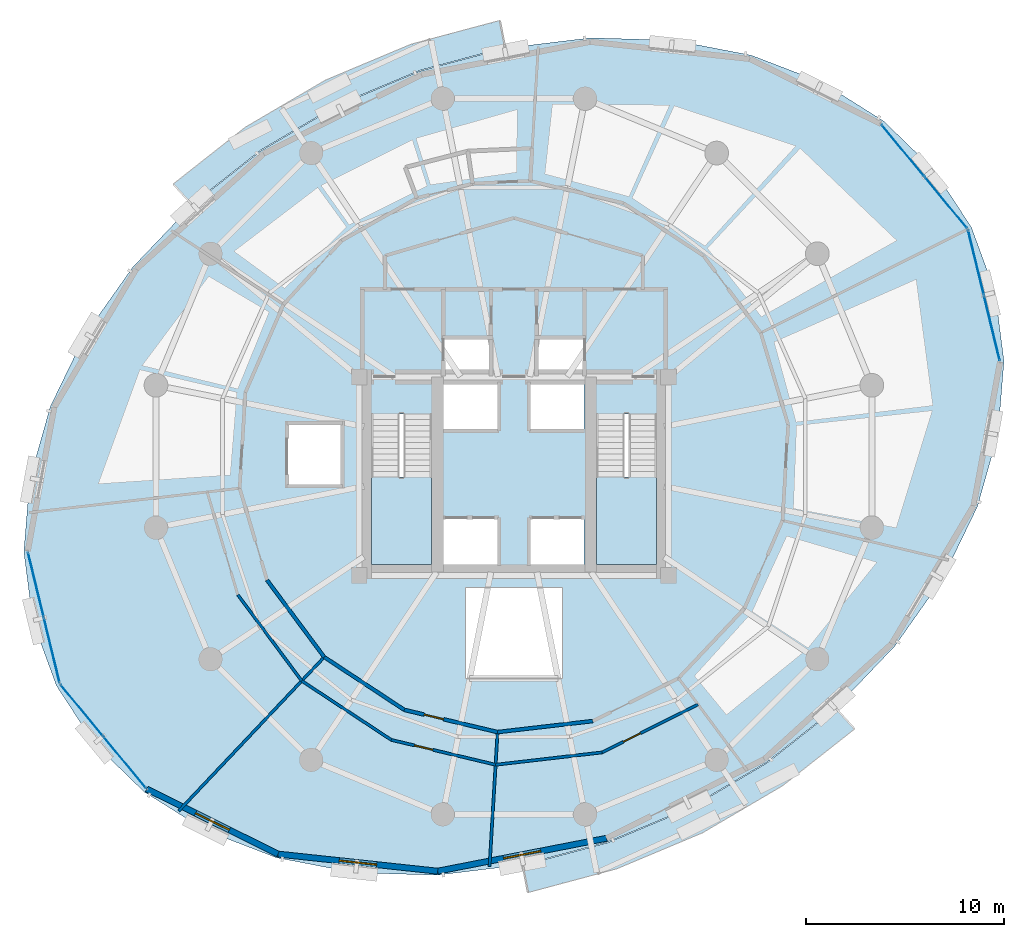
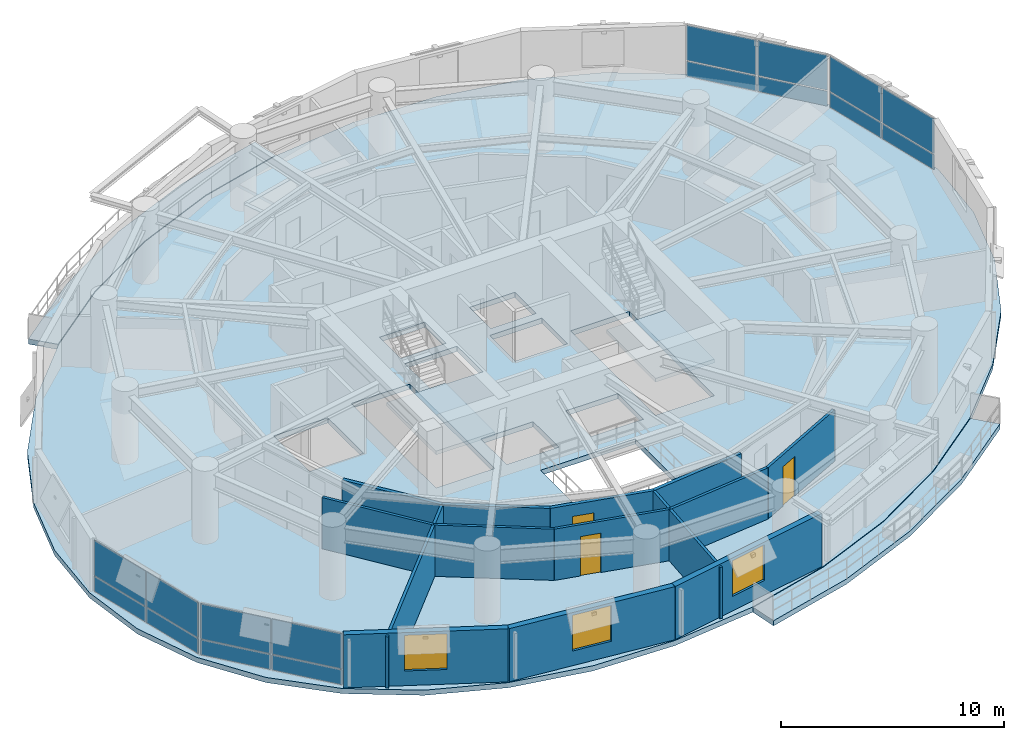
# One storey, part 9 of 14: 16 plates, 14 walls, 5 slabs, 3 doors, 3 windows, 6 openings, 6 elements without a shape of their own.
"""IFC4 building model written with IfcOpenShell, lengths in metres."""

from ifc_helpers import new_model, si_unit, direction, frame, frame_2d, origin, origin_2d, place, context, subcontext, project, spatial, polyline, rectangle, outline, extrude, material, layer, layer_set, type_object, element, fill, aggregate, save


model = new_model("IFC4")

# Units and contexts
model_context = context("Model", 3, precision=1e-05, world=origin(), true_north=direction((0.0, 1.0)))
body_context = subcontext(model_context, "Body", "Model", "MODEL_VIEW")
ifc_project = project(units=[si_unit("LENGTHUNIT", "METRE"), si_unit("AREAUNIT", "SQUARE_METRE"), si_unit("VOLUMEUNIT", "CUBIC_METRE"), si_unit("PLANEANGLEUNIT", "RADIAN"), si_unit("MASSUNIT", "GRAM", prefix="KILO"), si_unit("THERMODYNAMICTEMPERATUREUNIT", "KELVIN"), si_unit("POWERUNIT", "WATT")], contexts=[model_context])

# Site, building, storey
site_placement = place(None, origin())
site = spatial("IfcSite", under=ifc_project, at=site_placement, CompositionType="ELEMENT")
building_placement = place(site_placement, origin())
building = spatial("IfcBuilding", under=site, at=building_placement, Name="Ocrelia Relay Tower", CompositionType="ELEMENT")
storey_placement = place(building_placement, frame((0.0, 0.0, 145.800048828125)))
storey = spatial("IfcBuildingStorey", under=building, at=storey_placement, Name="L34", CompositionType="ELEMENT", Elevation=145.800048828125)

# Curtain wall, plates
ifc_material_1 = material(Name="Aluminium and solar-control low-E glass", Category="aluminium")
ifc_layer_1 = layer(ifc_material_1, 0.179931640625, Name="Aluminium and solar-control low-E glass")
ifc_layer_set_1 = layer_set([ifc_layer_1], Name="Aluminium and solar-control low-E glass")
curtain_wall_type = type_object("IfcCurtainWallType", Name="CW-SYS-Z2-SWIT", PredefinedType="NOTDEFINED", material=ifc_layer_set_1)
curtain_wall_1_placement = place(storey_placement, origin())
curtain_wall_1 = element("IfcCurtainWall", 1, at=curtain_wall_1_placement, inside=storey, type_object=curtain_wall_type, Name="L34 Elliptical Tower Curtain Wall Bay 01", PredefinedType="NOTDEFINED")
ifc_material_2 = material(Name="Clear double-glazed low-E glass", Category="glass")
ifc_layer_2 = layer(ifc_material_2, 0.031982421875, Name="Clear double-glazed low-E glass")
ifc_layer_set_2 = layer_set([ifc_layer_2], Name="Clear double-glazed low-E glass")
plate_type = type_object("IfcPlateType", Name="CW-SYS-Z2-SWIT-PNL", PredefinedType="CURTAIN_PANEL", material=ifc_layer_set_2)
plate_1_placement = place(storey_placement, frame((55.78369140625, 38.8017578125, 0.059814453125), z_axis=(0.0, 0.0, 1.0), x_axis=(-0.637004659062, 0.77085995118, 0.0)))
plate_1 = element("IfcPlate", 2, at=plate_1_placement, type_object=plate_type, Name="CW-Z2 panel 1.1", PredefinedType="CURTAIN_PANEL", context=body_context, shape_type="SweptSolid", body=[
    extrude(rectangle(XDim=3.33447265625, YDim=0.031982421875, at=origin_2d()), origin(), (0.0, 0.0, 1.0), 0.81005859375),
])
plate_2_placement = place(storey_placement, frame((55.78369140625, 38.8017578125, 0.93017578125), z_axis=(0.0, 0.0, 1.0), x_axis=(-0.637004659062, 0.77085995118, 0.0)))
plate_2 = element("IfcPlate", 3, at=plate_2_placement, type_object=plate_type, Name="CW-Z2 panel 1.2", PredefinedType="CURTAIN_PANEL", context=body_context, shape_type="SweptSolid", body=[
    extrude(rectangle(XDim=3.33447265625, YDim=0.031982421875, at=origin_2d()), origin(), (0.0, 0.0, 1.0), 1.909912109375),
])
plate_3_placement = place(storey_placement, frame((53.614990234375, 41.42626953125, 0.059814453125), z_axis=(0.0, 0.0, 1.0), x_axis=(-0.637004659062, 0.77085995118, 0.0)))
plate_3 = element("IfcPlate", 4, at=plate_3_placement, type_object=plate_type, Name="CW-Z2 panel 2.1", PredefinedType="CURTAIN_PANEL", context=body_context, shape_type="SweptSolid", body=[
    extrude(rectangle(XDim=3.33447265625, YDim=0.031982421875, at=origin_2d()), origin(), (0.0, 0.0, 1.0), 0.81005859375),
])
plate_4_placement = place(storey_placement, frame((53.614990234375, 41.42626953125, 0.93017578125), z_axis=(0.0, 0.0, 1.0), x_axis=(-0.637004659062, 0.77085995118, 0.0)))
plate_4 = element("IfcPlate", 5, at=plate_4_placement, type_object=plate_type, Name="CW-Z2 panel 2.2", PredefinedType="CURTAIN_PANEL", context=body_context, shape_type="SweptSolid", body=[
    extrude(rectangle(XDim=3.33447265625, YDim=0.031982421875, at=origin_2d()), origin(), (0.0, 0.0, 1.0), 1.909912109375),
])
aggregate(curtain_wall_1, [plate_1, plate_2, plate_3, plate_4])

curtain_wall_2_placement = place(storey_placement, origin())
curtain_wall_2 = element("IfcCurtainWall", 6, at=curtain_wall_2_placement, inside=storey, type_object=curtain_wall_type, Name="L34 Elliptical Tower Curtain Wall Bay 09", PredefinedType="NOTDEFINED")
plate_5_placement = place(storey_placement, frame((9.89794921875, 19.534423828125, 0.059814453125), z_axis=(0.0, 0.0, 1.0), x_axis=(0.235671587189, -0.97183275464, 0.0)))
plate_5 = element("IfcPlate", 7, at=plate_5_placement, type_object=plate_type, Name="CW-Z2 panel 1.1", PredefinedType="CURTAIN_PANEL", context=body_context, shape_type="SweptSolid", body=[
    extrude(rectangle(XDim=3.33447265625, YDim=0.031982421875, at=origin_2d()), origin(), (0.0, 0.0, 1.0), 0.81005859375),
])
plate_6_placement = place(storey_placement, frame((9.89794921875, 19.534423828125, 0.93017578125), z_axis=(0.0, 0.0, 1.0), x_axis=(0.235671587189, -0.97183275464, 0.0)))
plate_6 = element("IfcPlate", 8, at=plate_6_placement, type_object=plate_type, Name="CW-Z2 panel 1.2", PredefinedType="CURTAIN_PANEL", context=body_context, shape_type="SweptSolid", body=[
    extrude(rectangle(XDim=3.33447265625, YDim=0.031982421875, at=origin_2d()), origin(), (0.0, 0.0, 1.0), 1.909912109375),
])
plate_7_placement = place(storey_placement, frame((10.7001953125, 16.225830078125, 0.059814453125), z_axis=(0.0, 0.0, 1.0), x_axis=(0.235671587189, -0.97183275464, 0.0)))
plate_7 = element("IfcPlate", 9, at=plate_7_placement, type_object=plate_type, Name="CW-Z2 panel 2.1", PredefinedType="CURTAIN_PANEL", context=body_context, shape_type="SweptSolid", body=[
    extrude(rectangle(XDim=3.33447265625, YDim=0.031982421875, at=origin_2d()), origin(), (0.0, 0.0, 1.0), 0.81005859375),
])
plate_8_placement = place(storey_placement, frame((10.7001953125, 16.225830078125, 0.93017578125), z_axis=(0.0, 0.0, 1.0), x_axis=(0.235671587189, -0.97183275464, 0.0)))
plate_8 = element("IfcPlate", 10, at=plate_8_placement, type_object=plate_type, Name="CW-Z2 panel 2.2", PredefinedType="CURTAIN_PANEL", context=body_context, shape_type="SweptSolid", body=[
    extrude(rectangle(XDim=3.33447265625, YDim=0.031982421875, at=origin_2d()), origin(), (0.0, 0.0, 1.0), 1.909912109375),
])
aggregate(curtain_wall_2, [plate_5, plate_6, plate_7, plate_8])

curtain_wall_3_placement = place(storey_placement, origin())
curtain_wall_3 = element("IfcCurtainWall", 11, at=curtain_wall_3_placement, inside=storey, type_object=curtain_wall_type, Name="L34 Elliptical Tower Curtain Wall Bay 10", PredefinedType="NOTDEFINED")
plate_9_placement = place(storey_placement, frame((12.21630859375, 13.1982421875, 0.059814453125), z_axis=(0.0, 0.0, 1.0), x_axis=(0.637004659062, -0.77085995118, 0.0)))
plate_9 = element("IfcPlate", 12, at=plate_9_placement, type_object=plate_type, Name="CW-Z2 panel 1.1", PredefinedType="CURTAIN_PANEL", context=body_context, shape_type="SweptSolid", body=[
    extrude(rectangle(XDim=3.33447265625, YDim=0.031982421875, at=origin_2d()), origin(), (0.0, 0.0, 1.0), 0.81005859375),
])
plate_10_placement = place(storey_placement, frame((12.21630859375, 13.1982421875, 0.93017578125), z_axis=(0.0, 0.0, 1.0), x_axis=(0.637004659062, -0.77085995118, 0.0)))
plate_10 = element("IfcPlate", 13, at=plate_10_placement, type_object=plate_type, Name="CW-Z2 panel 1.2", PredefinedType="CURTAIN_PANEL", context=body_context, shape_type="SweptSolid", body=[
    extrude(rectangle(XDim=3.33447265625, YDim=0.031982421875, at=origin_2d()), origin(), (0.0, 0.0, 1.0), 1.909912109375),
])
plate_11_placement = place(storey_placement, frame((14.385009765625, 10.57373046875, 0.059814453125), z_axis=(0.0, 0.0, 1.0), x_axis=(0.637004659062, -0.77085995118, 0.0)))
plate_11 = element("IfcPlate", 14, at=plate_11_placement, type_object=plate_type, Name="CW-Z2 panel 2.1", PredefinedType="CURTAIN_PANEL", context=body_context, shape_type="SweptSolid", body=[
    extrude(rectangle(XDim=3.33447265625, YDim=0.031982421875, at=origin_2d()), origin(), (0.0, 0.0, 1.0), 0.81005859375),
])
plate_12_placement = place(storey_placement, frame((14.385009765625, 10.57373046875, 0.93017578125), z_axis=(0.0, 0.0, 1.0), x_axis=(0.637004659062, -0.77085995118, 0.0)))
plate_12 = element("IfcPlate", 15, at=plate_12_placement, type_object=plate_type, Name="CW-Z2 panel 2.2", PredefinedType="CURTAIN_PANEL", context=body_context, shape_type="SweptSolid", body=[
    extrude(rectangle(XDim=3.33447265625, YDim=0.031982421875, at=origin_2d()), origin(), (0.0, 0.0, 1.0), 1.909912109375),
])
aggregate(curtain_wall_3, [plate_9, plate_10, plate_11, plate_12])

curtain_wall_4_placement = place(storey_placement, origin())
curtain_wall_4 = element("IfcCurtainWall", 16, at=curtain_wall_4_placement, inside=storey, type_object=curtain_wall_type, Name="L34 Elliptical Tower Curtain Wall Bay 18", PredefinedType="NOTDEFINED")
plate_13_placement = place(storey_placement, frame((58.10205078125, 32.465576171875, 0.059814453125), z_axis=(0.0, 0.0, 1.0), x_axis=(-0.235671587189, 0.97183275464, 0.0)))
plate_13 = element("IfcPlate", 17, at=plate_13_placement, type_object=plate_type, Name="CW-Z2 panel 1.1", PredefinedType="CURTAIN_PANEL", context=body_context, shape_type="SweptSolid", body=[
    extrude(rectangle(XDim=3.33447265625, YDim=0.031982421875, at=origin_2d()), origin(), (0.0, 0.0, 1.0), 0.81005859375),
])
plate_14_placement = place(storey_placement, frame((58.10205078125, 32.465576171875, 0.93017578125), z_axis=(0.0, 0.0, 1.0), x_axis=(-0.235671587189, 0.97183275464, 0.0)))
plate_14 = element("IfcPlate", 18, at=plate_14_placement, type_object=plate_type, Name="CW-Z2 panel 1.2", PredefinedType="CURTAIN_PANEL", context=body_context, shape_type="SweptSolid", body=[
    extrude(rectangle(XDim=3.33447265625, YDim=0.031982421875, at=origin_2d()), origin(), (0.0, 0.0, 1.0), 1.909912109375),
])
plate_15_placement = place(storey_placement, frame((57.2998046875, 35.774169921875, 0.059814453125), z_axis=(0.0, 0.0, 1.0), x_axis=(-0.235671587189, 0.97183275464, 0.0)))
plate_15 = element("IfcPlate", 19, at=plate_15_placement, type_object=plate_type, Name="CW-Z2 panel 2.1", PredefinedType="CURTAIN_PANEL", context=body_context, shape_type="SweptSolid", body=[
    extrude(rectangle(XDim=3.33447265625, YDim=0.031982421875, at=origin_2d()), origin(), (0.0, 0.0, 1.0), 0.81005859375),
])
plate_16_placement = place(storey_placement, frame((57.2998046875, 35.774169921875, 0.93017578125), z_axis=(0.0, 0.0, 1.0), x_axis=(-0.235671587189, 0.97183275464, 0.0)))
plate_16 = element("IfcPlate", 20, at=plate_16_placement, type_object=plate_type, Name="CW-Z2 panel 2.2", PredefinedType="CURTAIN_PANEL", context=body_context, shape_type="SweptSolid", body=[
    extrude(rectangle(XDim=3.33447265625, YDim=0.031982421875, at=origin_2d()), origin(), (0.0, 0.0, 1.0), 1.909912109375),
])
aggregate(curtain_wall_4, [plate_13, plate_14, plate_15, plate_16])

# Slabs
ifc_material_3 = material(Name="Precast concrete C40/50", Category="concrete")
ifc_layer_3 = layer(ifc_material_3, 0.280029296875, Name="Precast concrete C40/50")
ifc_layer_set_3 = layer_set([ifc_layer_3], Name="Precast concrete C40/50")
slab_type_1 = type_object("IfcSlabType", Name="SL-BALC-280", PredefinedType="FLOOR", material=ifc_layer_set_3)
slab_1_placement = place(storey_placement, frame((0.0, 0.0, -0.280029296875)))
element("IfcSlab", 21, at=slab_1_placement, inside=storey, type_object=slab_type_1, Name="L34 Planted Loggia Balcony B1", PredefinedType="FLOOR", context=body_context, shape_type="SweptSolid", body=[
    extrude(outline(polyline([(33.553466796875, 46.6171875), (31.409423828125, 46.04345703125), (29.265380859375, 45.4697265625), (25.120849609375, 43.731201171875), (21.24609375, 41.4541015625), (19.50244140625, 40.0810546875), (17.7587890625, 38.707763671875), (16.82177734375, 39.739013671875), (18.64111328125, 41.171875), (20.46044921875, 42.6044921875), (24.497314453125, 44.976806640625), (28.814697265625, 46.7880859375), (31.0517578125, 47.38671875), (33.288818359375, 47.985107421875), (33.553466796875, 46.6171875)])), origin(), (0.0, 0.0, 1.0), 0.280029296875),
])
slab_2_placement = place(storey_placement, frame((0.0, 0.0, -0.280029296875)))
element("IfcSlab", 22, at=slab_2_placement, inside=storey, type_object=slab_type_1, Name="L34 Planted Loggia Balcony B2", PredefinedType="FLOOR", context=body_context, shape_type="SweptSolid", body=[
    extrude(outline(polyline([(34.446533203125, 5.3828125), (36.590576171875, 5.95654296875), (38.734619140625, 6.5302734375), (42.879150390625, 8.268798828125), (46.75390625, 10.5458984375), (48.49755859375, 11.9189453125), (50.2412109375, 13.292236328125), (51.17822265625, 12.260986328125), (49.35888671875, 10.828125), (47.53955078125, 9.3955078125), (43.502685546875, 7.023193359375), (39.185302734375, 5.2119140625), (36.9482421875, 4.61328125), (34.711181640625, 4.014892578125), (34.446533203125, 5.3828125)])), origin(), (0.0, 0.0, 1.0), 0.280029296875),
])
ifc_material_4 = material(Name="Concrete C50/60", Category="concrete")
ifc_layer_4 = layer(ifc_material_4, 0.280029296875, Name="Concrete C50/60")
ifc_layer_set_4 = layer_set([ifc_layer_4], Name="Concrete C50/60")
slab_type_2 = type_object("IfcSlabType", Name="SL-FLR-280", PredefinedType="FLOOR", material=ifc_layer_set_4)
slab_3_placement = place(storey_placement, frame((0.0, 0.0, -0.280029296875)))
element("IfcSlab", 23, at=slab_3_placement, inside=storey, type_object=slab_type_2, Name="L34 Elliptical Tower Floor Slab", PredefinedType="FLOOR", context=body_context, shape_type="SweptSolid", body=[
    extrude(outline(polyline([(57.069091796875, 37.55224609375), (55.17919921875, 40.450927734375), (52.645751953125, 42.91064453125), (49.545654296875, 44.856689453125), (45.973388671875, 46.2294921875), (42.037109375, 46.98779296875), (37.856689453125, 47.1083984375), (33.55908203125, 46.587646484375), (29.27490234375, 45.44140625), (25.134521484375, 43.704345703125), (21.26318359375, 41.42919921875), (17.77880859375, 38.685546875), (14.78759765625, 35.55615234375), (12.3798828125, 32.13671875), (10.62939453125, 28.530517578125), (9.588623046875, 24.84765625), (9.289794921875, 21.19970703125), (9.74169921875, 17.697509765625), (10.930908203125, 14.44775390625), (12.82080078125, 11.549072265625), (15.354248046875, 9.08935546875), (18.454345703125, 7.143310546875), (22.026611328125, 5.7705078125), (25.962890625, 5.01220703125), (30.143310546875, 4.8916015625), (34.44091796875, 5.412353515625), (38.72509765625, 6.55859375), (42.865478515625, 8.295654296875), (46.73681640625, 10.57080078125), (50.22119140625, 13.314453125), (53.21240234375, 16.44384765625), (55.6201171875, 19.86328125), (57.37060546875, 23.469482421875), (58.411376953125, 27.15234375), (58.710205078125, 30.80029296875), (58.25830078125, 34.302490234375), (57.069091796875, 37.55224609375)]), holes=[polyline([(26.81005859375, 28.14990234375), (26.81005859375, 20.550048828125), (29.85009765625, 20.550048828125), (29.85009765625, 28.14990234375), (26.81005859375, 28.14990234375)]), polyline([(38.159912109375, 28.14990234375), (38.159912109375, 20.550048828125), (41.199951171875, 20.550048828125), (41.199951171875, 28.14990234375), (38.159912109375, 28.14990234375)]), polyline([(30.4599609375, 20.550048828125), (33.159912109375, 20.550048828125), (33.159912109375, 22.85009765625), (30.4599609375, 22.85009765625), (30.4599609375, 20.550048828125)]), polyline([(34.840087890625, 20.550048828125), (37.5400390625, 20.550048828125), (37.5400390625, 22.85009765625), (34.840087890625, 22.85009765625), (34.840087890625, 20.550048828125)]), polyline([(30.4599609375, 27.35009765625), (33.159912109375, 27.35009765625), (33.159912109375, 29.64990234375), (30.4599609375, 29.64990234375), (30.4599609375, 27.35009765625)]), polyline([(34.840087890625, 27.35009765625), (37.5400390625, 27.35009765625), (37.5400390625, 29.64990234375), (34.840087890625, 29.64990234375), (34.840087890625, 27.35009765625)]), polyline([(30.5, 30.10009765625), (32.85009765625, 30.10009765625), (32.85009765625, 32.0), (30.5, 32.0), (30.5, 30.10009765625)]), polyline([(35.14990234375, 30.10009765625), (37.5, 30.10009765625), (37.5, 32.0), (35.14990234375, 32.0), (35.14990234375, 30.10009765625)]), polyline([(22.550048828125, 24.5), (25.35009765625, 24.5), (25.35009765625, 27.699951171875), (22.550048828125, 27.699951171875), (22.550048828125, 24.5)]), polyline([(31.550048828125, 14.800048828125), (36.449951171875, 14.800048828125), (36.449951171875, 19.39990234375), (31.550048828125, 19.39990234375), (31.550048828125, 14.800048828125)])]), origin(), (0.0, 0.0, 1.0), 0.280029296875),
])

# Stair, slab
stair_type = type_object("IfcStairType", Name="ST-DL-1420-R167", PredefinedType="HALF_TURN_STAIR", material=ifc_material_4)
stair_1_placement = place(storey_placement, origin())
stair_1 = element("IfcStair", 24, at=stair_1_placement, inside=storey, type_object=stair_type, Name="L34 West Core Exit Stair ST1", PredefinedType="HALF_TURN_STAIR")
ifc_layer_5 = layer(ifc_material_4, 0.199951171875, Name="Concrete C50/60")
ifc_layer_set_5 = layer_set([ifc_layer_5], Name="Concrete C50/60")
slab_type_3 = type_object("IfcSlabType", Name="SL-LANDING-200", PredefinedType="LANDING", material=ifc_layer_set_5)
slab_4_placement = place(storey_placement, frame((0.0, 0.0, 1.800048828125)))
slab_4 = element("IfcSlab", 25, at=slab_4_placement, type_object=slab_type_3, Name="ST1 landing 1", PredefinedType="LANDING", context=body_context, shape_type="SweptSolid", body=[
    extrude(outline(polyline([(26.81005859375, 24.9599609375), (26.81005859375, 20.550048828125), (29.85009765625, 20.550048828125), (29.85009765625, 24.9599609375), (26.81005859375, 24.9599609375)])), origin(), (0.0, 0.0, 1.0), 0.199951171875),
])
aggregate(stair_1, [slab_4])

stair_2_placement = place(storey_placement, origin())
stair_2 = element("IfcStair", 26, at=stair_2_placement, inside=storey, type_object=stair_type, Name="L34 East Core Exit Stair ST2", PredefinedType="HALF_TURN_STAIR")
slab_5_placement = place(storey_placement, frame((0.0, 0.0, 1.800048828125)))
slab_5 = element("IfcSlab", 27, at=slab_5_placement, type_object=slab_type_3, Name="ST2 landing 1", PredefinedType="LANDING", context=body_context, shape_type="SweptSolid", body=[
    extrude(outline(polyline([(38.159912109375, 24.9599609375), (38.159912109375, 20.550048828125), (41.199951171875, 20.550048828125), (41.199951171875, 24.9599609375), (38.159912109375, 24.9599609375)])), origin(), (0.0, 0.0, 1.0), 0.199951171875),
])
aggregate(stair_2, [slab_5])

# Walls
ifc_material_5 = material(Name="Gypsum Fireboard Partition EI60", Category="gypsum")
ifc_layer_6 = layer(ifc_material_5, 0.179931640625, Name="Gypsum Fireboard Partition EI60")
ifc_layer_set_6 = layer_set([ifc_layer_6], Name="Gypsum Fireboard Partition EI60")
wall_type_1 = type_object("IfcWallType", Name="W-CORR-EI60-180", PredefinedType="PARTITIONING", material=ifc_layer_set_6)
for number, where, z_axis, x_axis, name in (
    (28, (21.553466796875, 19.76708984375, 0.0), (0.0, 0.0, 1.0), (0.596219858709, -0.802821200568, 0.0), "L34 Optical Calibration Studio Corridor Partition 2"),
    (29, (24.435791015625, 15.885986328125, 0.0), (0.0, 0.0, 1.0), (0.834852183568, -0.550474187943, 0.0), "L34 Protocol Testing Lab Corridor Partition 1"),
):
    element("IfcWall", number, at=place(storey_placement, frame(where, z_axis=z_axis, x_axis=x_axis)), inside=storey, type_object=wall_type_1, Name=name, PredefinedType="PARTITIONING", context=body_context, shape_type="SweptSolid", body=[
        extrude(rectangle(XDim=4.834228515625, YDim=0.179931640625, at=frame_2d((2.4169921875, 0.0))), origin(), (0.0, 0.0, 1.0), 2.800048828125),
    ])

# Wall, opening, door
wall_1_placement = place(storey_placement, frame((28.4716796875, 13.224853515625, 0.0), z_axis=(0.0, 0.0, 1.0), x_axis=(0.972776947404, -0.231743415441, 0.0)))
wall_1 = element("IfcWall", 30, at=wall_1_placement, inside=storey, type_object=wall_type_1, Name="L34 Protocol Testing Lab Corridor Partition 2", PredefinedType="PARTITIONING", context=body_context, shape_type="SweptSolid", body=[
    extrude(rectangle(XDim=4.83447265625, YDim=0.179931640625, at=frame_2d((2.417236328125, 0.0))), origin(), (0.0, 0.0, 1.0), 2.800048828125),
])
opening_1_placement = place(wall_1_placement, frame((1.03369140625, 0.0, 0.0)))
opening_1 = element("IfcOpeningElement", 31, at=opening_1_placement, cuts=wall_1, Name="Opening D-RM100", PredefinedType="OPENING", context=body_context, shape_type="SweptSolid", body=[
    extrude(rectangle(XDim=1.0, YDim=2.14990234375, at=frame_2d((0.5, 1.074951171875))), frame((0.0, 0.10009765625, 0.0), z_axis=(0.0, -1.0, 0.0), x_axis=(1.0, 0.0, 0.0)), (0.0, 0.0, 1.0), 0.199951171875),
])
ifc_material_6 = material(Name="Acoustic oak veneer fire door", Category="wood")
door_type_1 = type_object("IfcDoorType", Name="DR-ROOM-FD60-1000", OperationType="NOTDEFINED", PredefinedType="DOOR", material=ifc_material_6)
door_1_placement = place(opening_1_placement, origin())
door_1 = element("IfcDoor", 32, at=door_1_placement, inside=storey, type_object=door_type_1, Name="L34 Protocol Testing Lab Entrance Door", OperationType="SINGLE_SWING_RIGHT", OverallHeight=2.14990234375, OverallWidth=1.0, PredefinedType="DOOR", context=body_context, shape_type="SweptSolid", body=[
    extrude(rectangle(XDim=1.0, YDim=2.14990234375, at=frame_2d((0.5, 1.074951171875))), frame((0.0, 0.02490234375, 0.0), z_axis=(0.0, -1.0, 0.0), x_axis=(1.0, 0.0, 0.0)), (0.0, 0.0, 1.0), 0.050048828125),
])
fill(opening_1, door_1)

# Wall
wall_2_placement = place(storey_placement, frame((33.174560546875, 12.1044921875, 0.0), z_axis=(0.0, 0.0, 1.0), x_axis=(0.993372169668, 0.114942300873, 0.0)))
element("IfcWall", 33, at=wall_2_placement, inside=storey, type_object=wall_type_1, Name="L34 Photonics Metrology Lab Corridor Partition 1", PredefinedType="PARTITIONING", context=body_context, shape_type="SweptSolid", body=[
    extrude(rectangle(XDim=4.834228515625, YDim=0.179931640625, at=frame_2d((2.4169921875, 0.0))), origin(), (0.0, 0.0, 1.0), 2.800048828125),
])

# Wall, opening, window
ifc_material_7 = material(Name="Precast concrete C40/50 with oxide terracotta", Category="masonry")
ifc_layer_7 = layer(ifc_material_7, 0.300048828125, Name="Precast concrete C40/50 with oxide terracotta")
ifc_layer_set_7 = layer_set([ifc_layer_7], Name="Precast concrete C40/50 with oxide terracotta")
wall_type_2 = type_object("IfcWallType", Name="W-EXT-TERR-300", PredefinedType="SOLIDWALL", material=ifc_layer_set_7)
wall_3_placement = place(storey_placement, frame((15.49169921875, 9.234619140625, 0.0), z_axis=(0.0, 0.0, 1.0), x_axis=(0.895870813497, -0.444314624477, 0.0)))
wall_3 = element("IfcWall", 34, at=wall_3_placement, inside=storey, type_object=wall_type_2, Name="L34 Oxide Terracotta Facade Wall 11", PredefinedType="SOLIDWALL", context=body_context, shape_type="SweptSolid", body=[
    extrude(rectangle(XDim=7.38330078125, YDim=0.300048828125, at=frame_2d((3.691650390625, 0.0))), origin(), (0.0, 0.0, 1.0), 2.89990234375),
])
opening_2_placement = place(wall_3_placement, frame((2.741943359375, 0.0, 0.800048828125)))
opening_2 = element("IfcOpeningElement", 35, at=opening_2_placement, cuts=wall_3, Name="Opening W-06", PredefinedType="OPENING", context=body_context, shape_type="SweptSolid", body=[
    extrude(rectangle(XDim=1.89990234375, YDim=1.949951171875, at=frame_2d((0.949951171875, 0.97509765625))), frame((0.0, 0.16015625, 0.0), z_axis=(0.0, -1.0, 0.0), x_axis=(1.0, 0.0, 0.0)), (0.0, 0.0, 1.0), 0.320068359375),
])
window_type = type_object("IfcWindowType", Name="WIN-Z2-1900x2100", PartitioningType="DOUBLE_PANEL_VERTICAL", PredefinedType="WINDOW", material=ifc_material_2)
window_1_placement = place(opening_2_placement, origin())
window_1 = element("IfcWindow", 36, at=window_1_placement, inside=storey, type_object=window_type, Name="L34 Facade Module Window 11", OverallHeight=1.949951171875, OverallWidth=1.89990234375, PartitioningType="SINGLE_PANEL", PredefinedType="WINDOW", context=body_context, shape_type="SweptSolid", body=[
    extrude(rectangle(XDim=1.89990234375, YDim=1.949951171875, at=frame_2d((0.949951171875, 0.97509765625))), frame((0.0, 0.030029296875, 0.0), z_axis=(0.0, -1.0, 0.0), x_axis=(1.0, 0.0, 0.0)), (0.0, 0.0, 1.0), 0.06005859375),
])
fill(opening_2, window_1)

wall_4_placement = place(storey_placement, frame((22.106201171875, 5.9541015625, 0.0), z_axis=(0.0, 0.0, 1.0), x_axis=(0.994303675946, -0.106584238983, 0.0)))
wall_4 = element("IfcWall", 37, at=wall_4_placement, inside=storey, type_object=wall_type_2, Name="L34 Oxide Terracotta Facade Wall 12", PredefinedType="SOLIDWALL", context=body_context, shape_type="SweptSolid", body=[
    extrude(rectangle(XDim=8.094970703125, YDim=0.300048828125, at=frame_2d((4.04736328125, 0.0))), origin(), (0.0, 0.0, 1.0), 2.89990234375),
])
opening_3_placement = place(wall_4_placement, frame((3.097900390625, 0.0, 0.800048828125)))
opening_3 = element("IfcOpeningElement", 38, at=opening_3_placement, cuts=wall_4, Name="Opening W-06", PredefinedType="OPENING", context=body_context, shape_type="SweptSolid", body=[
    extrude(rectangle(XDim=1.89990234375, YDim=1.949951171875, at=frame_2d((0.949951171875, 0.97509765625))), frame((0.0, 0.16015625, 0.0), z_axis=(0.0, -1.0, 0.0), x_axis=(1.0, 0.0, 0.0)), (0.0, 0.0, 1.0), 0.320068359375),
])
window_2_placement = place(opening_3_placement, origin())
window_2 = element("IfcWindow", 39, at=window_2_placement, inside=storey, type_object=window_type, Name="L34 Facade Module Window 12", OverallHeight=1.949951171875, OverallWidth=1.89990234375, PartitioningType="SINGLE_PANEL", PredefinedType="WINDOW", context=body_context, shape_type="SweptSolid", body=[
    extrude(rectangle(XDim=1.89990234375, YDim=1.949951171875, at=frame_2d((0.949951171875, 0.97509765625))), frame((0.0, 0.030029296875, 0.0), z_axis=(0.0, -1.0, 0.0), x_axis=(1.0, 0.0, 0.0)), (0.0, 0.0, 1.0), 0.06005859375),
])
fill(opening_3, window_2)

wall_5_placement = place(storey_placement, frame((30.155029296875, 5.09130859375, 0.0), z_axis=(0.0, 0.0, 1.0), x_axis=(0.981531349689, 0.191301358011, 0.0)))
wall_5 = element("IfcWall", 40, at=wall_5_placement, inside=storey, type_object=wall_type_2, Name="L34 Oxide Terracotta Facade Wall 13", PredefinedType="SOLIDWALL", context=body_context, shape_type="SweptSolid", body=[
    extrude(rectangle(XDim=8.673095703125, YDim=0.300048828125, at=frame_2d((4.33642578125, 0.0))), origin(), (0.0, 0.0, 1.0), 2.89990234375),
])
opening_4_placement = place(wall_5_placement, frame((3.385986328125, 0.0, 0.800048828125)))
opening_4 = element("IfcOpeningElement", 41, at=opening_4_placement, cuts=wall_5, Name="Opening W-06", PredefinedType="OPENING", context=body_context, shape_type="SweptSolid", body=[
    extrude(rectangle(XDim=1.89990234375, YDim=1.949951171875, at=frame_2d((0.949951171875, 0.97509765625))), frame((0.0, 0.16015625, 0.0), z_axis=(0.0, -1.0, 0.0), x_axis=(1.0, 0.0, 0.0)), (0.0, 0.0, 1.0), 0.320068359375),
])
window_3_placement = place(opening_4_placement, origin())
window_3 = element("IfcWindow", 42, at=window_3_placement, inside=storey, type_object=window_type, Name="L34 Facade Module Window 13", OverallHeight=1.949951171875, OverallWidth=1.89990234375, PartitioningType="SINGLE_PANEL", PredefinedType="WINDOW", context=body_context, shape_type="SweptSolid", body=[
    extrude(rectangle(XDim=1.89990234375, YDim=1.949951171875, at=frame_2d((0.949951171875, 0.97509765625))), frame((0.0, 0.030029296875, 0.0), z_axis=(0.0, -1.0, 0.0), x_axis=(1.0, 0.0, 0.0)), (0.0, 0.0, 1.0), 0.06005859375),
])
fill(opening_4, window_3)

# Walls
ifc_material_8 = material(Name="Acoustic Fireboard Partition EI60", Category="gypsum")
ifc_layer_8 = layer(ifc_material_8, 0.139892578125, Name="Acoustic Fireboard Partition EI60")
ifc_layer_set_8 = layer_set([ifc_layer_8], Name="Acoustic Fireboard Partition EI60")
wall_type_3 = type_object("IfcWallType", Name="W-PART-140", PredefinedType="PARTITIONING", material=ifc_layer_set_8)
wall_6_placement = place(storey_placement, frame((24.435791015625, 15.885986328125, 0.0), z_axis=(0.0, 0.0, 1.0), x_axis=(-0.687099784948, -0.726563063694, 0.0)))
element("IfcWall", 43, at=wall_6_placement, inside=storey, type_object=wall_type_3, Name="L34 Optical Calibration Studio Radial Partition", PredefinedType="PARTITIONING", context=body_context, shape_type="SweptSolid", body=[
    extrude(rectangle(XDim=10.68408203125, YDim=0.139892578125, at=frame_2d((5.342041015625, 0.0))), origin(), (0.0, 0.0, 1.0), 2.800048828125),
])
wall_7_placement = place(storey_placement, frame((20.077880859375, 19.0283203125, 0.0), z_axis=(0.0, 0.0, 1.0), x_axis=(0.596244197079, -0.802803124963, 0.0)))
element("IfcWall", 44, at=wall_7_placement, inside=storey, type_object=wall_type_3, Name="L34 Perimeter Optical Calibration Studio Mid-Ring Partition 2", PredefinedType="PARTITIONING", context=body_context, shape_type="SweptSolid", body=[
    extrude(rectangle(XDim=5.407470703125, YDim=0.139892578125, at=frame_2d((2.70361328125, 0.0))), origin(), (0.0, 0.0, 1.0), 2.800048828125),
])
wall_8_placement = place(storey_placement, frame((33.174560546875, 12.1044921875, 0.0), z_axis=(0.0, 0.0, 1.0), x_axis=(-0.059306722547, -0.998239807191, 0.0)))
element("IfcWall", 45, at=wall_8_placement, inside=storey, type_object=wall_type_3, Name="L34 Protocol Testing Lab Radial Partition", PredefinedType="PARTITIONING", context=body_context, shape_type="SweptSolid", body=[
    extrude(rectangle(XDim=6.780029296875, YDim=0.139892578125, at=frame_2d((3.39013671875, 0.0))), origin(), (0.0, 0.0, 1.0), 2.800048828125),
])
wall_9_placement = place(storey_placement, frame((23.302001953125, 14.687255859375, 0.0), z_axis=(0.0, 0.0, 1.0), x_axis=(0.834859649207, -0.550462865347, 0.0)))
element("IfcWall", 46, at=wall_9_placement, inside=storey, type_object=wall_type_3, Name="L34 Perimeter Protocol Testing Lab Mid-Ring Partition 1", PredefinedType="PARTITIONING", context=body_context, shape_type="SweptSolid", body=[
    extrude(rectangle(XDim=5.407470703125, YDim=0.139892578125, at=frame_2d((2.70361328125, 0.0))), origin(), (0.0, 0.0, 1.0), 2.800048828125),
])

# Wall, opening, door
wall_10_placement = place(storey_placement, frame((27.81640625, 11.710693359375, 0.0), z_axis=(0.0, 0.0, 1.0), x_axis=(0.972775687213, -0.231748705211, 0.0)))
wall_10 = element("IfcWall", 47, at=wall_10_placement, inside=storey, type_object=wall_type_3, Name="L34 Perimeter Protocol Testing Lab Mid-Ring Partition 2", PredefinedType="PARTITIONING", context=body_context, shape_type="SweptSolid", body=[
    extrude(rectangle(XDim=5.407470703125, YDim=0.139892578125, at=frame_2d((2.70361328125, 0.0))), origin(), (0.0, 0.0, 1.0), 2.800048828125),
])
opening_5_placement = place(wall_10_placement, frame((1.204345703125, 0.0, 0.0)))
opening_5 = element("IfcOpeningElement", 48, at=opening_5_placement, cuts=wall_10, Name="Opening D-RM95", PredefinedType="OPENING", context=body_context, shape_type="SweptSolid", body=[
    extrude(rectangle(XDim=0.949951171875, YDim=2.14990234375, at=frame_2d((0.47509765625, 1.074951171875))), frame((0.0, 0.080078125, 0.0), z_axis=(0.0, -1.0, 0.0), x_axis=(1.0, 0.0, 0.0)), (0.0, 0.0, 1.0), 0.159912109375),
])
door_type_2 = type_object("IfcDoorType", Name="DR-ROOM-950", OperationType="NOTDEFINED", PredefinedType="DOOR", material=ifc_material_6)
door_2_placement = place(opening_5_placement, origin())
door_2 = element("IfcDoor", 49, at=door_2_placement, inside=storey, type_object=door_type_2, Name="L34 Perimeter Protocol Testing Lab Connecting Door", OperationType="SINGLE_SWING_LEFT", OverallHeight=2.14990234375, OverallWidth=0.949951171875, PredefinedType="DOOR", context=body_context, shape_type="SweptSolid", body=[
    extrude(rectangle(XDim=0.949951171875, YDim=2.14990234375, at=frame_2d((0.47509765625, 1.074951171875))), frame((0.0, 0.02490234375, 0.0), z_axis=(0.0, -1.0, 0.0), x_axis=(1.0, 0.0, 0.0)), (0.0, 0.0, 1.0), 0.050048828125),
])
fill(opening_5, door_2)

# Wall
wall_11_placement = place(storey_placement, frame((33.07666015625, 10.45751953125, 0.0), z_axis=(0.0, 0.0, 1.0), x_axis=(0.993376467662, 0.114905149995, 0.0)))
element("IfcWall", 50, at=wall_11_placement, inside=storey, type_object=wall_type_3, Name="L34 Perimeter Photonics Metrology Lab Mid-Ring Partition 1", PredefinedType="PARTITIONING", context=body_context, shape_type="SweptSolid", body=[
    extrude(rectangle(XDim=5.407470703125, YDim=0.139892578125, at=frame_2d((2.70361328125, 0.0))), origin(), (0.0, 0.0, 1.0), 2.800048828125),
])

# Wall, opening, door
wall_12_placement = place(storey_placement, frame((38.4482421875, 11.078857421875, 0.0), z_axis=(0.0, 0.0, 1.0), x_axis=(0.894156125226, 0.447755316798, 0.0)))
wall_12 = element("IfcWall", 51, at=wall_12_placement, inside=storey, type_object=wall_type_3, Name="L34 Perimeter Photonics Metrology Lab Mid-Ring Partition 2", PredefinedType="PARTITIONING", context=body_context, shape_type="SweptSolid", body=[
    extrude(rectangle(XDim=5.4072265625, YDim=0.139892578125, at=frame_2d((2.70361328125, 0.0))), origin(), (0.0, 0.0, 1.0), 2.800048828125),
])
opening_6_placement = place(wall_12_placement, frame((1.204345703125, 0.0, 0.0)))
opening_6 = element("IfcOpeningElement", 52, at=opening_6_placement, cuts=wall_12, Name="Opening D-RM95", PredefinedType="OPENING", context=body_context, shape_type="SweptSolid", body=[
    extrude(rectangle(XDim=0.949951171875, YDim=2.14990234375, at=frame_2d((0.47509765625, 1.074951171875))), frame((0.0, 0.080078125, 0.0), z_axis=(0.0, -1.0, 0.0), x_axis=(1.0, 0.0, 0.0)), (0.0, 0.0, 1.0), 0.159912109375),
])
door_3_placement = place(opening_6_placement, origin())
door_3 = element("IfcDoor", 53, at=door_3_placement, inside=storey, type_object=door_type_2, Name="L34 Perimeter Photonics Metrology Lab Connecting Door", OperationType="SINGLE_SWING_LEFT", OverallHeight=2.14990234375, OverallWidth=0.949951171875, PredefinedType="DOOR", context=body_context, shape_type="SweptSolid", body=[
    extrude(rectangle(XDim=0.949951171875, YDim=2.14990234375, at=frame_2d((0.47509765625, 1.074951171875))), frame((0.0, 0.02490234375, 0.0), z_axis=(0.0, -1.0, 0.0), x_axis=(1.0, 0.0, 0.0)), (0.0, 0.0, 1.0), 0.050048828125),
])
fill(opening_6, door_3)

save(model, "model.ifc")
